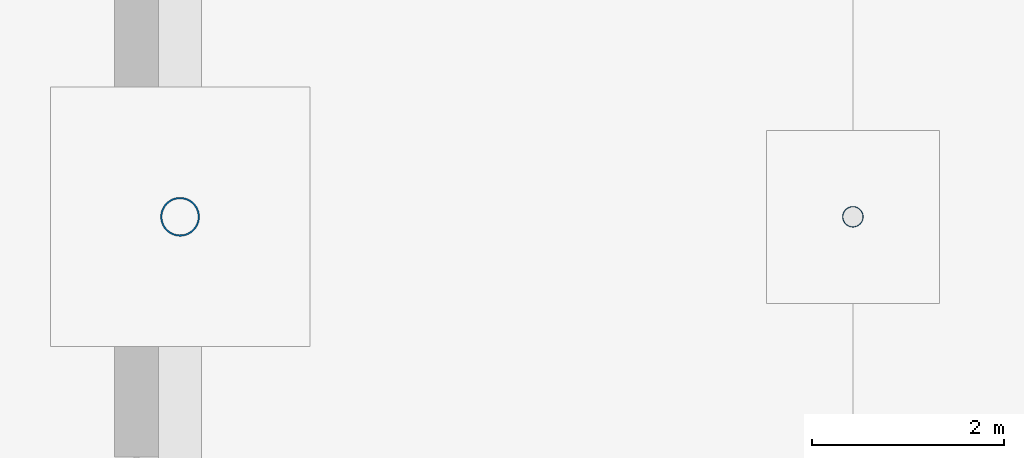
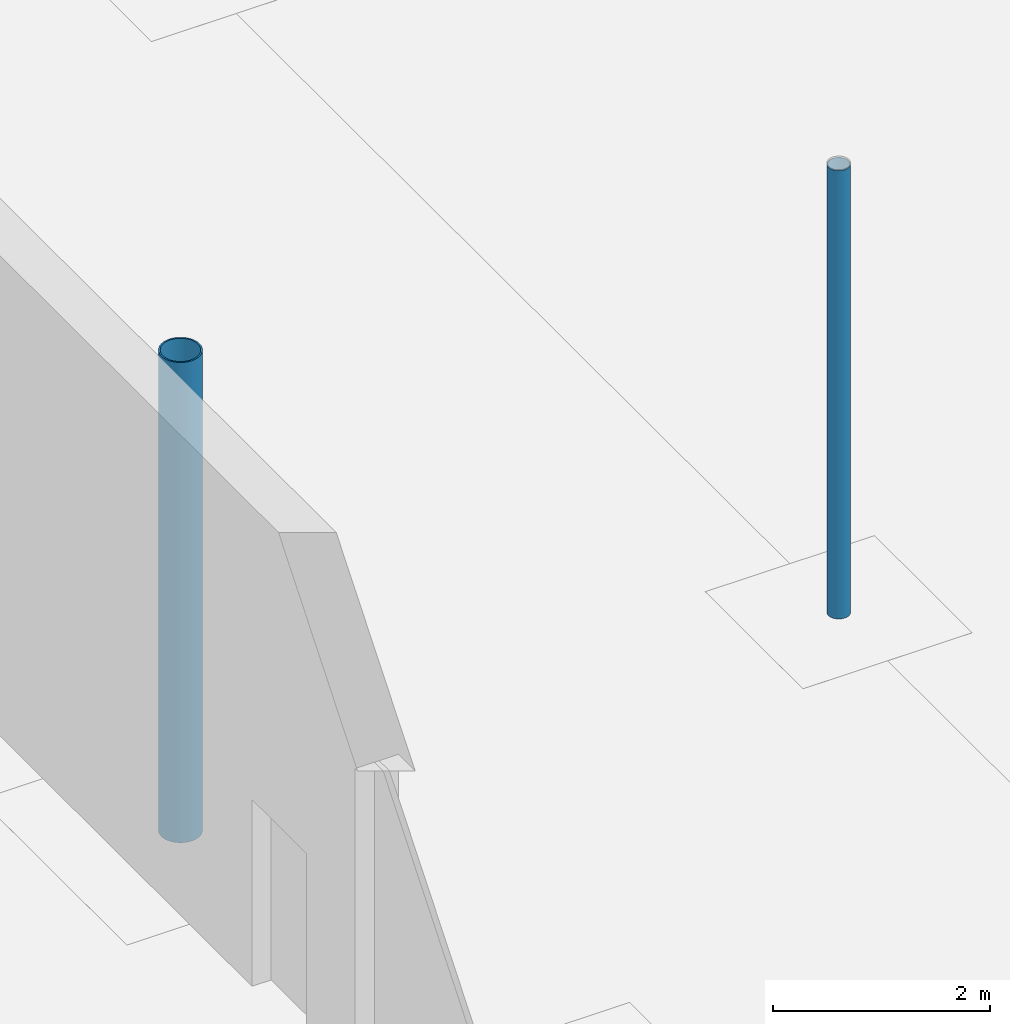
# One storey, part 21 of 132: 2 columns.
"""IFC4 building model written with IfcOpenShell, lengths in metres."""

from ifc_helpers import new_model, si_unit, direction, frame, origin, origin_2d, place, context, subcontext, project, spatial, hollow_circle, extrude, material, material_profile, profile_set, type_object, element, save


model = new_model("IFC4")

# Units and contexts
model_context = context("Model", 3, precision=1e-05, world=origin(), true_north=direction((0.0, 1.0)))
body_context = subcontext(model_context, "Body", "Model", "MODEL_VIEW")
ifc_project = project(units=[si_unit("LENGTHUNIT", "METRE"), si_unit("AREAUNIT", "SQUARE_METRE"), si_unit("VOLUMEUNIT", "CUBIC_METRE"), si_unit("PLANEANGLEUNIT", "RADIAN"), si_unit("MASSUNIT", "GRAM", prefix="KILO")], contexts=[model_context])

# Site, building, storey
site_placement = place(None, origin())
site = spatial("IfcSite", under=ifc_project, at=site_placement, CompositionType="ELEMENT")
building_placement = place(site_placement, origin())
building = spatial("IfcBuilding", under=site, at=building_placement, Name="Ravi Spectrum Wholesale Market", CompositionType="ELEMENT")
storey_placement = place(building_placement, origin())
storey = spatial("IfcBuildingStorey", under=building, at=storey_placement, Name="L00", CompositionType="ELEMENT", Elevation=0.0)

# Columns
ifc_material_1 = material(Name="Steel S355", Category="steel")
ifc_material_profile_1 = material_profile(ifc_material_1, hollow_circle(Radius=0.109619140625, WallThickness=0.008056640625, at=origin_2d()))
ifc_profile_set_1 = profile_set([ifc_material_profile_1], Name="Steel S355")
column_type_1 = type_object("IfcColumnType", Name="CHS 219.1x8 column", PredefinedType="COLUMN", material=ifc_profile_set_1)
column_1_placement = place(storey_placement, frame((205.0, 90.0, 0.0), z_axis=(0.0, 0.0, 1.0), x_axis=(1.0, 0.0, 0.0)))
element("IfcColumn", 1, at=column_1_placement, inside=storey, type_object=column_type_1, Name="H2-COL-L00-018", PredefinedType="COLUMN", context=body_context, shape_type="SweptSolid", body=[
    extrude(hollow_circle(Radius=0.109619140625, WallThickness=0.008056640625, at=origin_2d()), origin(), (0.0, 0.0, 1.0), 5.0400390625),
])
ifc_material_2 = material(Name="Steel S355", Category="steel")
ifc_material_profile_2 = material_profile(ifc_material_2, hollow_circle(Radius=0.203125, WallThickness=0.01611328125, at=origin_2d()))
ifc_profile_set_2 = profile_set([ifc_material_profile_2], Name="Steel S355")
column_type_2 = type_object("IfcColumnType", Name="CHS 406.4x16 column", PredefinedType="COLUMN", material=ifc_profile_set_2)
column_2_placement = place(storey_placement, frame((198.0, 90.0, 0.0), z_axis=(0.0, 0.0, 1.0), x_axis=(1.0, 0.0, 0.0)))
element("IfcColumn", 2, at=column_2_placement, inside=storey, type_object=column_type_2, Name="H2-COL-L00-007", PredefinedType="COLUMN", context=body_context, shape_type="SweptSolid", body=[
    extrude(hollow_circle(Radius=0.203125, WallThickness=0.01611328125, at=origin_2d()), origin(), (0.0, 0.0, 1.0), 5.39990234375),
])

save(model, "model.ifc")
